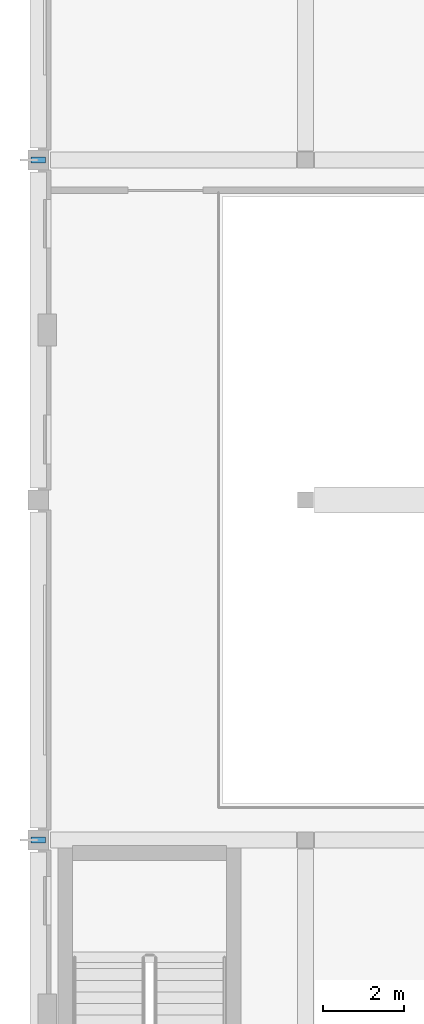
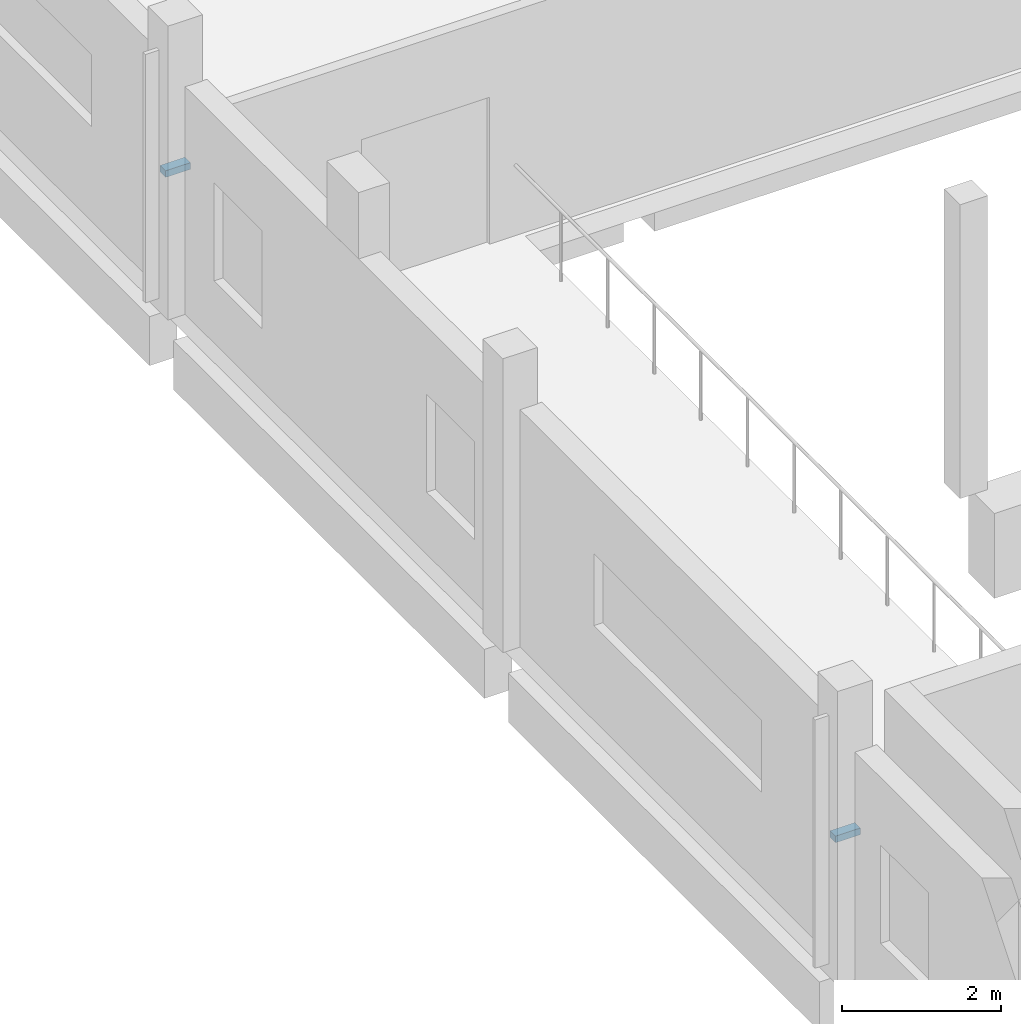
# One storey, part 62 of 83: 2 discrete accessories.
"""IFC4 building model written with IfcOpenShell, lengths in metres."""

from ifc_helpers import new_model, si_unit, direction, frame, origin, origin_2d, place, context, subcontext, project, spatial, rectangle, extrude, material, layer, layer_set, type_object, element, save


model = new_model("IFC4")

# Units and contexts
model_context = context("Model", 3, precision=1e-05, world=origin(), true_north=direction((0.0, 1.0)))
body_context = subcontext(model_context, "Body", "Model", "MODEL_VIEW")
ifc_project = project(units=[si_unit("LENGTHUNIT", "METRE"), si_unit("AREAUNIT", "SQUARE_METRE"), si_unit("VOLUMEUNIT", "CUBIC_METRE"), si_unit("PLANEANGLEUNIT", "RADIAN"), si_unit("MASSUNIT", "GRAM", prefix="KILO")], contexts=[model_context])

# Site, building, storey
site_placement = place(None, origin())
site = spatial("IfcSite", under=ifc_project, at=site_placement, CompositionType="ELEMENT")
building_placement = place(site_placement, origin())
building = spatial("IfcBuilding", under=site, at=building_placement, Name="Qaldarim Faculty of Natural and Applied Sciences", CompositionType="ELEMENT")
storey_placement = place(building_placement, frame((0.0, 0.0, 5.39990234375)))
storey = spatial("IfcBuildingStorey", under=building, at=storey_placement, Name="L01", CompositionType="ELEMENT", Elevation=5.39990234375)

# Discrete accessories
ifc_material = material(Name="Architectural stainless steel 316", Category="steel")
ifc_layer = layer(ifc_material, 0.080078125)
ifc_layer_set = layer_set([ifc_layer], Name="Architectural stainless steel 316")
discrete_accessory_type = type_object("IfcDiscreteAccessoryType", Name="FacadeBracket-SS120", PredefinedType="BRACKET", material=ifc_layer_set)
for number, where, z_axis, x_axis, name in (
    (1, (0.0, 25.199951171875, 2.050048828125), (0.0, 0.0, 1.0), (1.0, 0.0, 0.0), "Solar fin bracket FIN-L01-X01Y04"),
    (2, (0.0, 42.0, 2.050048828125), (0.0, 0.0, 1.0), (1.0, 0.0, 0.0), "Solar fin bracket FIN-L01-X01Y06"),
):
    element("IfcDiscreteAccessory", number, at=place(storey_placement, frame(where, z_axis=z_axis, x_axis=x_axis)), inside=storey, type_object=discrete_accessory_type, Name=name, PredefinedType="BRACKET", context=body_context, shape_type="SweptSolid", body=[
        extrude(rectangle(XDim=0.360107421875, YDim=0.139892578125, at=origin_2d()), origin(), (0.0, 0.0, 1.0), 0.10009765625),
    ])

save(model, "model.ifc")
